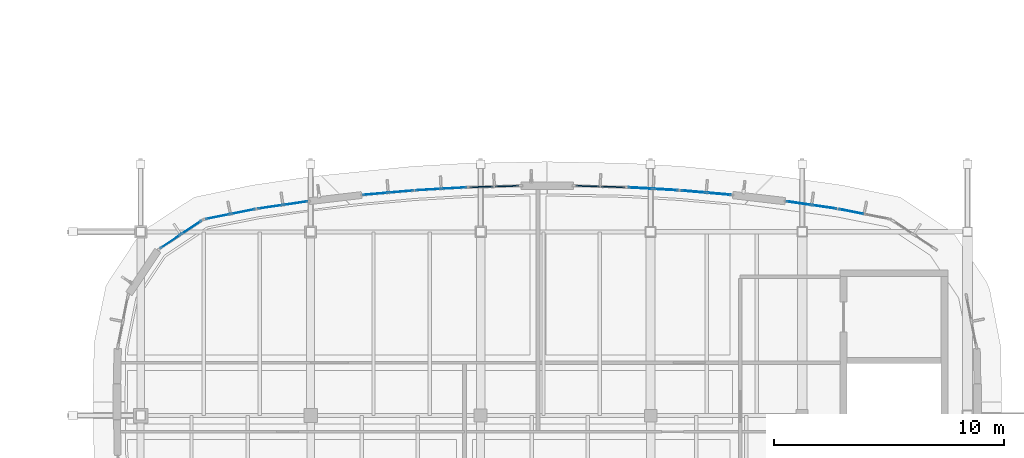
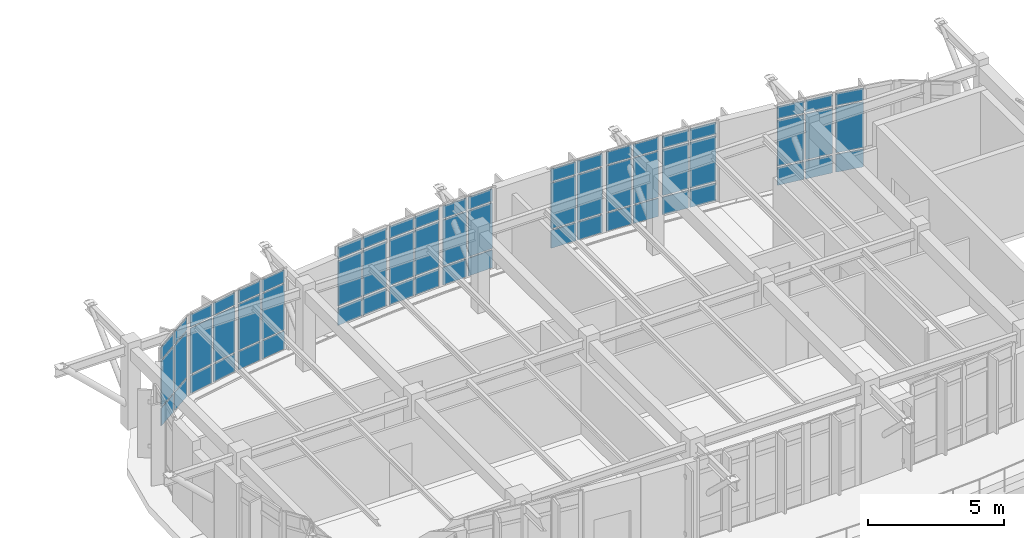
# One storey, part 64 of 105: 63 plates, 11 elements without a shape of their own.
"""IFC4 building model written with IfcOpenShell, lengths in metres."""

import ifcopenshell
import ifcopenshell.guid

model = None  # the IFC model being written
_history = None  # IfcOwnerHistory: only IFC2X3 demands one
_inside = {}  # id of a spatial element -> (the spatial element, [elements in it])
_under = {}  # id of a project, library or spatial element -> (it, [spatial elements below it])
_declared = {}  # id of a project -> (the project, [libraries it declares])
_typed = {}  # id of a type object -> (the type object, [elements of that type])
_made_of = {}  # id of a material, layer set ... -> (it, [elements and type objects made of it])


def new_model(schema):
    """Start an empty IFC model of exactly this schema.

    Asked for "IFC4X3", IfcOpenShell would pick the latest addendum, in which some entities
    have other attributes; the version numbers below select the first issue.
    IFC2X3 requires an IfcOwnerHistory on every rooted entity: one is made here for all.
    """
    global model, _history
    if schema == "IFC4X3":
        model = ifcopenshell.file(schema_version=(4, 3, 0, 0))
    else:
        model = ifcopenshell.file(schema=schema)
    _inside.clear()
    _under.clear()
    _declared.clear()
    _typed.clear()
    _made_of.clear()
    _history = None
    if model.schema == "IFC2X3":
        org = make("IfcOrganization", Name="unknown")
        user = make(
            "IfcPersonAndOrganization",
            ThePerson=make("IfcPerson", FamilyName="unknown"),
            TheOrganization=org,
        )
        app = make(
            "IfcApplication",
            ApplicationDeveloper=org,
            Version="unknown",
            ApplicationFullName="unknown",
            ApplicationIdentifier="unknown",
        )
        _history = make(
            "IfcOwnerHistory",
            OwningUser=user,
            OwningApplication=app,
            ChangeAction="ADDED",
            CreationDate=0,
        )
    return model


def make(cls, **values):
    """One entity of the class cls with the attributes given. An attribute that is None is left unset."""
    return model.create_entity(
        cls, **{name: value for name, value in values.items() if value is not None}
    )


def rooted(cls, **values):
    """An entity with a GlobalId (a new one), such as an element, a storey or a relation."""
    return make(cls, GlobalId=ifcopenshell.guid.new(), OwnerHistory=_history, **values)


def si_unit(unit_type, name, prefix=None):
    """IfcSIUnit, for example si_unit("LENGTHUNIT", "METRE", prefix="MILLI")."""
    return make("IfcSIUnit", UnitType=unit_type, Prefix=prefix, Name=name)


def assignment(units):
    """IfcUnitAssignment: the units of a project."""
    return None if units is None else make("IfcUnitAssignment", Units=units)


def point(xyz):
    """IfcCartesianPoint."""
    return None if xyz is None else make("IfcCartesianPoint", Coordinates=xyz)


def direction(xyz):
    """IfcDirection."""
    return None if xyz is None else make("IfcDirection", DirectionRatios=xyz)


def frame(location, z_axis=None, x_axis=None):
    """IfcAxis2Placement3D, a coordinate frame: its origin and axes. An axis left out is left unset."""
    return make(
        "IfcAxis2Placement3D",
        Location=point(location),
        Axis=direction(z_axis),
        RefDirection=direction(x_axis),
    )


def frame_2d(location, x_axis=None):
    """IfcAxis2Placement2D, a coordinate frame in the plane: its origin and x axis."""
    return make(
        "IfcAxis2Placement2D", Location=point(location), RefDirection=direction(x_axis)
    )


def origin():
    """The frame at (0, 0, 0) with its axes left unset."""
    return frame((0.0, 0.0, 0.0))


def origin_2d():
    """The frame at (0, 0) in the plane with its x axis left unset."""
    return frame_2d((0.0, 0.0))


def place(relative_to, where):
    """IfcLocalPlacement: puts the frame where relative to a parent placement (None: the world)."""
    return make(
        "IfcLocalPlacement", PlacementRelTo=relative_to, RelativePlacement=where
    )


def context(
    kind, dimensions, precision=None, world=None, true_north=None, identifier=None
):
    """IfcGeometricRepresentationContext, for example the 3D "Model" context."""
    return make(
        "IfcGeometricRepresentationContext",
        ContextIdentifier=identifier,
        ContextType=kind,
        CoordinateSpaceDimension=dimensions,
        Precision=precision,
        WorldCoordinateSystem=world,
        TrueNorth=true_north,
    )


def subcontext(parent, identifier, kind, view, scale=None):
    """IfcGeometricRepresentationSubContext, for example "Body" below "Model"."""
    return make(
        "IfcGeometricRepresentationSubContext",
        ContextIdentifier=identifier,
        ContextType=kind,
        ParentContext=parent,
        TargetScale=scale,
        TargetView=view,
    )


def project(units=None, contexts=None):
    """IfcProject with its units and contexts."""
    return rooted(
        "IfcProject",
        Name="project",
        RepresentationContexts=contexts,
        UnitsInContext=assignment(units),
    )


def spatial(cls, under=None, at=None, **own):
    """A site, building, storey or space (cls), placed at a placement, below another one or the project."""
    s = rooted(cls, ObjectPlacement=at, **own)
    if under is not None:
        _under.setdefault(under.id(), (under, []))[1].append(s)
    return s


def profile(cls, at=None, kind="AREA", **sizes):
    """A parametric profile (cls). Its sizes go by their IFC names, for example OverallWidth=200.0."""
    return make(cls, ProfileType=kind, Position=at, **sizes)


def rectangle(**sizes):
    """IfcRectangleProfileDef."""
    return profile("IfcRectangleProfileDef", **sizes)


def extrude(swept, where, along, depth):
    """IfcExtrudedAreaSolid: the profile swept, set in the frame where, extruded along a direction by depth."""
    return make(
        "IfcExtrudedAreaSolid",
        SweptArea=swept,
        Position=where,
        ExtrudedDirection=direction(along),
        Depth=depth,
    )


def shape(context_of_items, identifier, shape_type, items):
    """IfcShapeRepresentation: the items that make up one representation, for example the "Body"."""
    return make(
        "IfcShapeRepresentation",
        ContextOfItems=context_of_items,
        RepresentationIdentifier=identifier,
        RepresentationType=shape_type,
        Items=items,
    )


def material(Name=None, Category=None):
    """IfcMaterial."""
    return make("IfcMaterial", Name=Name, Category=Category)


def layer(
    of_material, thickness, ventilated=None, Name=None, Category=None, Priority=None
):
    """IfcMaterialLayer: one layer of a wall or slab, of a material (None: an air gap)."""
    return make(
        "IfcMaterialLayer",
        Material=of_material,
        LayerThickness=thickness,
        IsVentilated=ventilated,
        Name=Name,
        Category=Category,
        Priority=Priority,
    )


def layer_set(layers, Name=None):
    """IfcMaterialLayerSet."""
    return make("IfcMaterialLayerSet", MaterialLayers=layers, LayerSetName=Name)


def made_of(thing, what):
    """Note that an element or type object is made of a material, layer set ...; save() writes the relation."""
    if what is not None:
        _made_of.setdefault(what.id(), (what, []))[1].append(thing)
    return thing


def type_object(cls, material=None, **own):
    """A type object (cls), such as IfcWallType, which elements share."""
    return made_of(rooted(cls, **own), material)


def element(
    cls,
    number,
    at=None,
    inside=None,
    cuts=None,
    type_object=None,
    material=None,
    context=None,
    identifier="Body",
    shape_type=None,
    held_by="IfcProductDefinitionShape",
    body=None,
    shapes=None,
    **own,
):
    """One element of the class cls, such as IfcWall. Its Tag is "e" and its number.

    at: its placement. inside: the storey or other place that contains it. cuts: it is an
    opening in that element (IfcRelVoidsElement). A single representation is given by context,
    identifier, shape_type and body (its items); several are given by shapes. held_by: the class
    of the entity that holds the representations. save() writes the other relations.
    """
    e = rooted(cls, Tag="e%d" % number, ObjectPlacement=at, **own)
    if body is not None:
        shapes = [shape(context, identifier, shape_type, body)]
    if shapes is not None:
        e.Representation = make(held_by, Representations=shapes)
    if inside is not None:
        _inside.setdefault(inside.id(), (inside, []))[1].append(e)
    if cuts is not None:
        rooted(
            "IfcRelVoidsElement", RelatingBuildingElement=cuts, RelatedOpeningElement=e
        )
    if type_object is not None:
        _typed.setdefault(type_object.id(), (type_object, []))[1].append(e)
    return made_of(e, material)


def aggregate(whole, parts):
    """IfcRelAggregates: a whole, such as a stair, and the parts it consists of."""
    return rooted("IfcRelAggregates", RelatingObject=whole, RelatedObjects=parts)


def save(model, path):
    """Write the relations noted so far, then the file.

    IfcRelAggregates (storeys below a building ...), IfcRelContainedInSpatialStructure (elements
    in a storey), IfcRelDefinesByType, IfcRelAssociatesMaterial and IfcRelDeclares: one each for
    every whole, place, type object, material and project.
    """
    for whole, parts in _under.values():
        aggregate(whole, parts)
    for where, things in _inside.values():
        rooted(
            "IfcRelContainedInSpatialStructure",
            RelatedElements=things,
            RelatingStructure=where,
        )
    for kind, things in _typed.values():
        rooted("IfcRelDefinesByType", RelatedObjects=things, RelatingType=kind)
    for what, things in _made_of.values():
        rooted("IfcRelAssociatesMaterial", RelatedObjects=things, RelatingMaterial=what)
    for by, libraries in _declared.values():
        rooted("IfcRelDeclares", RelatingContext=by, RelatedDefinitions=libraries)
    model.write(path)


model = new_model("IFC4")

# Units and contexts
model_context = context("Model", 3, precision=1e-05, world=origin(), true_north=direction((0.0, 1.0)))
body_context = subcontext(model_context, "Body", "Model", "MODEL_VIEW")
ifc_project = project(units=[si_unit("LENGTHUNIT", "METRE"), si_unit("AREAUNIT", "SQUARE_METRE"), si_unit("VOLUMEUNIT", "CUBIC_METRE"), si_unit("PLANEANGLEUNIT", "RADIAN"), si_unit("MASSUNIT", "GRAM", prefix="KILO")], contexts=[model_context])

# Site, building, storey
site_placement = place(None, origin())
site = spatial("IfcSite", under=ifc_project, at=site_placement, CompositionType="ELEMENT")
building_placement = place(site_placement, origin())
building = spatial("IfcBuilding", under=site, at=building_placement, Name="Corveleigh Park Community Centre", CompositionType="ELEMENT")
storey_placement = place(building_placement, frame((0.0, 0.0, 8.699951171875)))
storey = spatial("IfcBuildingStorey", under=building, at=storey_placement, Name="L02", CompositionType="ELEMENT", Elevation=8.699951171875)

# Curtain wall, plates
ifc_material_1 = material(Name="Anodised aluminium 6063-T6", Category="aluminium")
curtain_wall_type = type_object("IfcCurtainWallType", Name="CW-SYS-V3-UPP", PredefinedType="NOTDEFINED", material=ifc_material_1)
curtain_wall_1_placement = place(storey_placement, origin())
curtain_wall_1 = element("IfcCurtainWall", 1, at=curtain_wall_1_placement, inside=storey, type_object=curtain_wall_type, Name="V3 L02 Curtain Wall 349", PredefinedType="NOTDEFINED")
ifc_material_2 = material(Name="Low-E double glazing", Category="glass")
ifc_layer_1 = layer(ifc_material_2, 0.02392578125, Name="Low-E double glazing", Category="glass")
ifc_layer_set_1 = layer_set([ifc_layer_1], Name="Low-E double glazing")
plate_type_1 = type_object("IfcPlateType", Name="CWP-GLZ-24", PredefinedType="CURTAIN_PANEL", material=ifc_layer_set_1)
plate_1_placement = place(storey_placement, frame((84.52587890625, 28.640869140625, 0.074951171875), z_axis=(0.0, 0.0, 1.0), x_axis=(0.998339941676, 0.057596535089, 0.0)))
plate_1 = element("IfcPlate", 2, at=plate_1_placement, type_object=plate_type_1, Name="CW06 panel 1.1", PredefinedType="CURTAIN_PANEL", context=body_context, shape_type="SweptSolid", body=[
    extrude(rectangle(XDim=1.055908203125, YDim=0.02392578125, at=origin_2d()), origin(), (0.0, 0.0, 1.0), 0.78759765625),
])
plate_2_placement = place(storey_placement, frame((84.52587890625, 28.640869140625, 0.9375), z_axis=(0.0, 0.0, 1.0), x_axis=(0.998339941676, 0.057596535089, 0.0)))
plate_2 = element("IfcPlate", 3, at=plate_2_placement, type_object=plate_type_1, Name="CW06 panel 1.2", PredefinedType="CURTAIN_PANEL", context=body_context, shape_type="SweptSolid", body=[
    extrude(rectangle(XDim=1.055908203125, YDim=0.02392578125, at=origin_2d()), origin(), (0.0, 0.0, 1.0), 2.0390625),
])
plate_3_placement = place(storey_placement, frame((84.52587890625, 28.640869140625, 3.051513671875), z_axis=(0.0, 0.0, 1.0), x_axis=(0.998339941676, 0.057596535089, 0.0)))
plate_3 = element("IfcPlate", 4, at=plate_3_placement, type_object=plate_type_1, Name="CW06 panel 1.3", PredefinedType="CURTAIN_PANEL", context=body_context, shape_type="SweptSolid", body=[
    extrude(rectangle(XDim=1.055908203125, YDim=0.02392578125, at=origin_2d()), origin(), (0.0, 0.0, 1.0), 0.53759765625),
])
plate_4_placement = place(storey_placement, frame((85.64013671875, 28.705078125, 0.074951171875), z_axis=(0.0, 0.0, 1.0), x_axis=(0.998339941676, 0.057596535089, 0.0)))
plate_4 = element("IfcPlate", 5, at=plate_4_placement, type_object=plate_type_1, Name="CW06 panel 2.1", PredefinedType="CURTAIN_PANEL", context=body_context, shape_type="SweptSolid", body=[
    extrude(rectangle(XDim=1.055908203125, YDim=0.02392578125, at=origin_2d()), origin(), (0.0, 0.0, 1.0), 0.78759765625),
])
plate_5_placement = place(storey_placement, frame((85.64013671875, 28.705078125, 0.9375), z_axis=(0.0, 0.0, 1.0), x_axis=(0.998339941676, 0.057596535089, 0.0)))
plate_5 = element("IfcPlate", 6, at=plate_5_placement, type_object=plate_type_1, Name="CW06 panel 2.2", PredefinedType="CURTAIN_PANEL", context=body_context, shape_type="SweptSolid", body=[
    extrude(rectangle(XDim=1.055908203125, YDim=0.02392578125, at=origin_2d()), origin(), (0.0, 0.0, 1.0), 2.0390625),
])
plate_6_placement = place(storey_placement, frame((85.64013671875, 28.705078125, 3.051513671875), z_axis=(0.0, 0.0, 1.0), x_axis=(0.998339941676, 0.057596535089, 0.0)))
plate_6 = element("IfcPlate", 7, at=plate_6_placement, type_object=plate_type_1, Name="CW06 panel 2.3", PredefinedType="CURTAIN_PANEL", context=body_context, shape_type="SweptSolid", body=[
    extrude(rectangle(XDim=1.055908203125, YDim=0.02392578125, at=origin_2d()), origin(), (0.0, 0.0, 1.0), 0.53759765625),
])
aggregate(curtain_wall_1, [plate_1, plate_2, plate_3, plate_4, plate_5, plate_6])

curtain_wall_2_placement = place(storey_placement, origin())
curtain_wall_2 = element("IfcCurtainWall", 8, at=curtain_wall_2_placement, inside=storey, type_object=curtain_wall_type, Name="V3 L02 Curtain Wall 350", PredefinedType="NOTDEFINED")
plate_7_placement = place(storey_placement, frame((82.22412109375, 28.456298828125, 0.080078125), z_axis=(0.0, 0.0, 1.0), x_axis=(0.996188034285, 0.0872318769, 0.0)))
plate_7 = element("IfcPlate", 9, at=plate_7_placement, type_object=plate_type_1, Name="CW06 panel 1.1", PredefinedType="CURTAIN_PANEL", context=body_context, shape_type="SweptSolid", body=[
    extrude(rectangle(XDim=1.048828125, YDim=0.02392578125, at=origin_2d()), origin(), (0.0, 0.0, 1.0), 0.780029296875),
])
plate_8_placement = place(storey_placement, frame((82.22412109375, 28.456298828125, 0.93994140625), z_axis=(0.0, 0.0, 1.0), x_axis=(0.996188034285, 0.0872318769, 0.0)))
plate_8 = element("IfcPlate", 10, at=plate_8_placement, type_object=plate_type_1, Name="CW06 panel 1.2", PredefinedType="CURTAIN_PANEL", context=body_context, shape_type="SweptSolid", body=[
    extrude(rectangle(XDim=1.048828125, YDim=0.02392578125, at=origin_2d()), origin(), (0.0, 0.0, 1.0), 2.033935546875),
])
plate_9_placement = place(storey_placement, frame((82.22412109375, 28.456298828125, 3.05419921875), z_axis=(0.0, 0.0, 1.0), x_axis=(0.996188034285, 0.0872318769, 0.0)))
plate_9 = element("IfcPlate", 11, at=plate_9_placement, type_object=plate_type_1, Name="CW06 panel 1.3", PredefinedType="CURTAIN_PANEL", context=body_context, shape_type="SweptSolid", body=[
    extrude(rectangle(XDim=1.048828125, YDim=0.02392578125, at=origin_2d()), origin(), (0.0, 0.0, 1.0), 0.530029296875),
])
plate_10_placement = place(storey_placement, frame((83.333740234375, 28.553466796875, 0.080078125), z_axis=(0.0, 0.0, 1.0), x_axis=(0.996188034285, 0.0872318769, 0.0)))
plate_10 = element("IfcPlate", 12, at=plate_10_placement, type_object=plate_type_1, Name="CW06 panel 2.1", PredefinedType="CURTAIN_PANEL", context=body_context, shape_type="SweptSolid", body=[
    extrude(rectangle(XDim=1.048828125, YDim=0.02392578125, at=origin_2d()), origin(), (0.0, 0.0, 1.0), 0.780029296875),
])
plate_11_placement = place(storey_placement, frame((83.333740234375, 28.553466796875, 0.93994140625), z_axis=(0.0, 0.0, 1.0), x_axis=(0.996188034285, 0.0872318769, 0.0)))
plate_11 = element("IfcPlate", 13, at=plate_11_placement, type_object=plate_type_1, Name="CW06 panel 2.2", PredefinedType="CURTAIN_PANEL", context=body_context, shape_type="SweptSolid", body=[
    extrude(rectangle(XDim=1.048828125, YDim=0.02392578125, at=origin_2d()), origin(), (0.0, 0.0, 1.0), 2.033935546875),
])
plate_12_placement = place(storey_placement, frame((83.333740234375, 28.553466796875, 3.05419921875), z_axis=(0.0, 0.0, 1.0), x_axis=(0.996188034285, 0.0872318769, 0.0)))
plate_12 = element("IfcPlate", 14, at=plate_12_placement, type_object=plate_type_1, Name="CW06 panel 2.3", PredefinedType="CURTAIN_PANEL", context=body_context, shape_type="SweptSolid", body=[
    extrude(rectangle(XDim=1.048828125, YDim=0.02392578125, at=origin_2d()), origin(), (0.0, 0.0, 1.0), 0.530029296875),
])
aggregate(curtain_wall_2, [plate_7, plate_8, plate_9, plate_10, plate_11, plate_12])

curtain_wall_3_placement = place(storey_placement, origin())
curtain_wall_3 = element("IfcCurtainWall", 15, at=curtain_wall_3_placement, inside=storey, type_object=curtain_wall_type, Name="V3 L02 Curtain Wall 351", PredefinedType="NOTDEFINED")
ifc_layer_2 = layer(ifc_material_2, 0.028076171875, Name="Low-E double glazing", Category="glass")
ifc_layer_set_2 = layer_set([ifc_layer_2], Name="Low-E double glazing")
plate_type_2 = type_object("IfcPlateType", Name="CWP-GLZ-28", PredefinedType="CURTAIN_PANEL", material=ifc_layer_set_2)
plate_13_placement = place(storey_placement, frame((77.642822265625, 27.887451171875, 0.06005859375), z_axis=(0.0, 0.0, 1.0), x_axis=(0.989436636628, 0.144966003251, 0.0)))
plate_13 = element("IfcPlate", 16, at=plate_13_placement, type_object=plate_type_2, Name="CW06 panel 1.1", PredefinedType="CURTAIN_PANEL", context=body_context, shape_type="SweptSolid", body=[
    extrude(rectangle(XDim=1.0400390625, YDim=0.028076171875, at=origin_2d()), origin(), (0.0, 0.0, 1.0), 0.81005859375),
])
plate_14_placement = place(storey_placement, frame((77.642822265625, 27.887451171875, 0.93017578125), z_axis=(0.0, 0.0, 1.0), x_axis=(0.989436636628, 0.144966003251, 0.0)))
plate_14 = element("IfcPlate", 17, at=plate_14_placement, type_object=plate_type_2, Name="CW06 panel 1.2", PredefinedType="CURTAIN_PANEL", context=body_context, shape_type="SweptSolid", body=[
    extrude(rectangle(XDim=1.0400390625, YDim=0.028076171875, at=origin_2d()), origin(), (0.0, 0.0, 1.0), 2.053955078125),
])
plate_15_placement = place(storey_placement, frame((77.642822265625, 27.887451171875, 3.0439453125), z_axis=(0.0, 0.0, 1.0), x_axis=(0.989436636628, 0.144966003251, 0.0)))
plate_15 = element("IfcPlate", 18, at=plate_15_placement, type_object=plate_type_2, Name="CW06 panel 1.3", PredefinedType="CURTAIN_PANEL", context=body_context, shape_type="SweptSolid", body=[
    extrude(rectangle(XDim=1.0400390625, YDim=0.028076171875, at=origin_2d()), origin(), (0.0, 0.0, 1.0), 0.56005859375),
])
plate_16_placement = place(storey_placement, frame((78.7412109375, 28.048583984375, 0.06005859375), z_axis=(0.0, 0.0, 1.0), x_axis=(0.989436636628, 0.144966003251, 0.0)))
plate_16 = element("IfcPlate", 19, at=plate_16_placement, type_object=plate_type_2, Name="CW06 panel 2.1", PredefinedType="CURTAIN_PANEL", context=body_context, shape_type="SweptSolid", body=[
    extrude(rectangle(XDim=1.0400390625, YDim=0.028076171875, at=origin_2d()), origin(), (0.0, 0.0, 1.0), 0.81005859375),
])
plate_17_placement = place(storey_placement, frame((78.7412109375, 28.048583984375, 0.93017578125), z_axis=(0.0, 0.0, 1.0), x_axis=(0.989436636628, 0.144966003251, 0.0)))
plate_17 = element("IfcPlate", 20, at=plate_17_placement, type_object=plate_type_2, Name="CW06 panel 2.2", PredefinedType="CURTAIN_PANEL", context=body_context, shape_type="SweptSolid", body=[
    extrude(rectangle(XDim=1.0400390625, YDim=0.028076171875, at=origin_2d()), origin(), (0.0, 0.0, 1.0), 2.053955078125),
])
plate_18_placement = place(storey_placement, frame((78.7412109375, 28.048583984375, 3.0439453125), z_axis=(0.0, 0.0, 1.0), x_axis=(0.989436636628, 0.144966003251, 0.0)))
plate_18 = element("IfcPlate", 21, at=plate_18_placement, type_object=plate_type_2, Name="CW06 panel 2.3", PredefinedType="CURTAIN_PANEL", context=body_context, shape_type="SweptSolid", body=[
    extrude(rectangle(XDim=1.0400390625, YDim=0.028076171875, at=origin_2d()), origin(), (0.0, 0.0, 1.0), 0.56005859375),
])
aggregate(curtain_wall_3, [plate_13, plate_14, plate_15, plate_16, plate_17, plate_18])

curtain_wall_4_placement = place(storey_placement, origin())
curtain_wall_4 = element("IfcCurtainWall", 22, at=curtain_wall_4_placement, inside=storey, type_object=curtain_wall_type, Name="V3 L02 Curtain Wall 352", PredefinedType="NOTDEFINED")
plate_19_placement = place(storey_placement, frame((75.361083984375, 27.46484375, 0.06494140625), z_axis=(0.0, 0.0, 1.0), x_axis=(0.980813768445, 0.194947048267, 0.0)))
plate_19 = element("IfcPlate", 23, at=plate_19_placement, type_object=plate_type_2, Name="CW06 panel 1.1", PredefinedType="CURTAIN_PANEL", context=body_context, shape_type="SweptSolid", body=[
    extrude(rectangle(XDim=1.0390625, YDim=0.028076171875, at=origin_2d()), origin(), (0.0, 0.0, 1.0), 0.802490234375),
])
plate_20_placement = place(storey_placement, frame((75.361083984375, 27.46484375, 0.9326171875), z_axis=(0.0, 0.0, 1.0), x_axis=(0.980813768445, 0.194947048267, 0.0)))
plate_20 = element("IfcPlate", 24, at=plate_20_placement, type_object=plate_type_2, Name="CW06 panel 1.2", PredefinedType="CURTAIN_PANEL", context=body_context, shape_type="SweptSolid", body=[
    extrude(rectangle(XDim=1.0390625, YDim=0.028076171875, at=origin_2d()), origin(), (0.0, 0.0, 1.0), 2.049072265625),
])
plate_21_placement = place(storey_placement, frame((75.361083984375, 27.46484375, 3.04638671875), z_axis=(0.0, 0.0, 1.0), x_axis=(0.980813768445, 0.194947048267, 0.0)))
plate_21 = element("IfcPlate", 25, at=plate_21_placement, type_object=plate_type_2, Name="CW06 panel 1.3", PredefinedType="CURTAIN_PANEL", context=body_context, shape_type="SweptSolid", body=[
    extrude(rectangle(XDim=1.0390625, YDim=0.028076171875, at=origin_2d()), origin(), (0.0, 0.0, 1.0), 0.552490234375),
])
plate_22_placement = place(storey_placement, frame((76.453857421875, 27.68212890625, 0.06494140625), z_axis=(0.0, 0.0, 1.0), x_axis=(0.980813768445, 0.194947048267, 0.0)))
plate_22 = element("IfcPlate", 26, at=plate_22_placement, type_object=plate_type_2, Name="CW06 panel 2.1", PredefinedType="CURTAIN_PANEL", context=body_context, shape_type="SweptSolid", body=[
    extrude(rectangle(XDim=1.0390625, YDim=0.028076171875, at=origin_2d()), origin(), (0.0, 0.0, 1.0), 0.802490234375),
])
plate_23_placement = place(storey_placement, frame((76.453857421875, 27.68212890625, 0.9326171875), z_axis=(0.0, 0.0, 1.0), x_axis=(0.980813768445, 0.194947048267, 0.0)))
plate_23 = element("IfcPlate", 27, at=plate_23_placement, type_object=plate_type_2, Name="CW06 panel 2.2", PredefinedType="CURTAIN_PANEL", context=body_context, shape_type="SweptSolid", body=[
    extrude(rectangle(XDim=1.0390625, YDim=0.028076171875, at=origin_2d()), origin(), (0.0, 0.0, 1.0), 2.049072265625),
])
plate_24_placement = place(storey_placement, frame((76.453857421875, 27.68212890625, 3.04638671875), z_axis=(0.0, 0.0, 1.0), x_axis=(0.980813768445, 0.194947048267, 0.0)))
plate_24 = element("IfcPlate", 28, at=plate_24_placement, type_object=plate_type_2, Name="CW06 panel 2.3", PredefinedType="CURTAIN_PANEL", context=body_context, shape_type="SweptSolid", body=[
    extrude(rectangle(XDim=1.0390625, YDim=0.028076171875, at=origin_2d()), origin(), (0.0, 0.0, 1.0), 0.552490234375),
])
aggregate(curtain_wall_4, [plate_19, plate_20, plate_21, plate_22, plate_23, plate_24])

curtain_wall_5_placement = place(storey_placement, origin())
curtain_wall_5 = element("IfcCurtainWall", 29, at=curtain_wall_5_placement, inside=storey, type_object=curtain_wall_type, Name="V3 L02 Curtain Wall 353", PredefinedType="NOTDEFINED")
ifc_layer_3 = layer(ifc_material_2, 0.031982421875, Name="Low-E double glazing", Category="glass")
ifc_layer_set_3 = layer_set([ifc_layer_3], Name="Low-E double glazing")
plate_type_3 = type_object("IfcPlateType", Name="CWP-GLZ-32", PredefinedType="CURTAIN_PANEL", material=ifc_layer_set_3)
plate_25_placement = place(storey_placement, frame((73.296875, 26.38037109375, 0.070068359375), z_axis=(0.0, 0.0, 1.0), x_axis=(0.831711453149, 0.55520812197, 0.0)))
plate_25 = element("IfcPlate", 30, at=plate_25_placement, type_object=plate_type_3, Name="CW06 panel 1.1", PredefinedType="CURTAIN_PANEL", context=body_context, shape_type="SweptSolid", body=[
    extrude(rectangle(XDim=1.015625, YDim=0.031982421875, at=origin_2d()), origin(), (0.0, 0.0, 1.0), 0.794921875),
])
plate_26_placement = place(storey_placement, frame((73.296875, 26.38037109375, 0.93505859375), z_axis=(0.0, 0.0, 1.0), x_axis=(0.831711453149, 0.55520812197, 0.0)))
plate_26 = element("IfcPlate", 31, at=plate_26_placement, type_object=plate_type_3, Name="CW06 panel 1.2", PredefinedType="CURTAIN_PANEL", context=body_context, shape_type="SweptSolid", body=[
    extrude(rectangle(XDim=1.015625, YDim=0.031982421875, at=origin_2d()), origin(), (0.0, 0.0, 1.0), 2.0439453125),
])
plate_27_placement = place(storey_placement, frame((73.296875, 26.38037109375, 3.049072265625), z_axis=(0.0, 0.0, 1.0), x_axis=(0.831711453149, 0.55520812197, 0.0)))
plate_27 = element("IfcPlate", 32, at=plate_27_placement, type_object=plate_type_3, Name="CW06 panel 1.3", PredefinedType="CURTAIN_PANEL", context=body_context, shape_type="SweptSolid", body=[
    extrude(rectangle(XDim=1.015625, YDim=0.031982421875, at=origin_2d()), origin(), (0.0, 0.0, 1.0), 0.544921875),
])
plate_28_placement = place(storey_placement, frame((74.2080078125, 26.988525390625, 0.070068359375), z_axis=(0.0, 0.0, 1.0), x_axis=(0.831711453149, 0.55520812197, 0.0)))
plate_28 = element("IfcPlate", 33, at=plate_28_placement, type_object=plate_type_3, Name="CW06 panel 2.1", PredefinedType="CURTAIN_PANEL", context=body_context, shape_type="SweptSolid", body=[
    extrude(rectangle(XDim=1.015625, YDim=0.031982421875, at=origin_2d()), origin(), (0.0, 0.0, 1.0), 0.794921875),
])
plate_29_placement = place(storey_placement, frame((74.2080078125, 26.988525390625, 0.93505859375), z_axis=(0.0, 0.0, 1.0), x_axis=(0.831711453149, 0.55520812197, 0.0)))
plate_29 = element("IfcPlate", 34, at=plate_29_placement, type_object=plate_type_3, Name="CW06 panel 2.2", PredefinedType="CURTAIN_PANEL", context=body_context, shape_type="SweptSolid", body=[
    extrude(rectangle(XDim=1.015625, YDim=0.031982421875, at=origin_2d()), origin(), (0.0, 0.0, 1.0), 2.0439453125),
])
plate_30_placement = place(storey_placement, frame((74.2080078125, 26.988525390625, 3.049072265625), z_axis=(0.0, 0.0, 1.0), x_axis=(0.831711453149, 0.55520812197, 0.0)))
plate_30 = element("IfcPlate", 35, at=plate_30_placement, type_object=plate_type_3, Name="CW06 panel 2.3", PredefinedType="CURTAIN_PANEL", context=body_context, shape_type="SweptSolid", body=[
    extrude(rectangle(XDim=1.015625, YDim=0.031982421875, at=origin_2d()), origin(), (0.0, 0.0, 1.0), 0.544921875),
])
aggregate(curtain_wall_5, [plate_25, plate_26, plate_27, plate_28, plate_29, plate_30])

curtain_wall_6_placement = place(storey_placement, origin())
curtain_wall_6 = element("IfcCurtainWall", 36, at=curtain_wall_6_placement, inside=storey, type_object=curtain_wall_type, Name="V3 L02 Curtain Wall 343", PredefinedType="NOTDEFINED")
ifc_layer_4 = layer(ifc_material_2, 0.035888671875, Name="Low-E double glazing", Category="glass")
ifc_layer_set_4 = layer_set([ifc_layer_4], Name="Low-E double glazing")
plate_type_4 = type_object("IfcPlateType", Name="CWP-GLZ-36", PredefinedType="CURTAIN_PANEL", material=ifc_layer_set_4)
plate_31_placement = place(storey_placement, frame((102.9423828125, 27.682861328125, 0.070068359375), z_axis=(0.0, 0.0, 1.0), x_axis=(0.980813768445, -0.194947048267, 0.0)))
plate_31 = element("IfcPlate", 37, at=plate_31_placement, type_object=plate_type_4, Name="CW06 panel 1.1", PredefinedType="CURTAIN_PANEL", context=body_context, shape_type="SweptSolid", body=[
    extrude(rectangle(XDim=1.0615234375, YDim=0.035888671875, at=origin_2d()), origin(), (0.0, 0.0, 1.0), 0.794921875),
])
plate_32_placement = place(storey_placement, frame((102.9423828125, 27.682861328125, 0.93505859375), z_axis=(0.0, 0.0, 1.0), x_axis=(0.980813768445, -0.194947048267, 0.0)))
plate_32 = element("IfcPlate", 38, at=plate_32_placement, type_object=plate_type_4, Name="CW06 panel 1.2", PredefinedType="CURTAIN_PANEL", context=body_context, shape_type="SweptSolid", body=[
    extrude(rectangle(XDim=1.0615234375, YDim=0.035888671875, at=origin_2d()), origin(), (0.0, 0.0, 1.0), 2.0439453125),
])
plate_33_placement = place(storey_placement, frame((102.9423828125, 27.682861328125, 3.049072265625), z_axis=(0.0, 0.0, 1.0), x_axis=(0.980813768445, -0.194947048267, 0.0)))
plate_33 = element("IfcPlate", 39, at=plate_33_placement, type_object=plate_type_4, Name="CW06 panel 1.3", PredefinedType="CURTAIN_PANEL", context=body_context, shape_type="SweptSolid", body=[
    extrude(rectangle(XDim=1.0615234375, YDim=0.035888671875, at=origin_2d()), origin(), (0.0, 0.0, 1.0), 0.544921875),
])
aggregate(curtain_wall_6, [plate_31, plate_32, plate_33])

curtain_wall_7_placement = place(storey_placement, origin())
curtain_wall_7 = element("IfcCurtainWall", 40, at=curtain_wall_7_placement, inside=storey, type_object=curtain_wall_type, Name="V3 L02 Curtain Wall 344", PredefinedType="NOTDEFINED")
plate_34_placement = place(storey_placement, frame((100.657470703125, 28.048583984375, 0.074951171875), z_axis=(0.0, 0.0, 1.0), x_axis=(0.989436636628, -0.144966003251, 0.0)))
plate_34 = element("IfcPlate", 41, at=plate_34_placement, type_object=plate_type_4, Name="CW06 panel 1.1", PredefinedType="CURTAIN_PANEL", context=body_context, shape_type="SweptSolid", body=[
    extrude(rectangle(XDim=1.047607421875, YDim=0.035888671875, at=origin_2d()), origin(), (0.0, 0.0, 1.0), 0.78759765625),
])
plate_35_placement = place(storey_placement, frame((100.657470703125, 28.048583984375, 0.9375), z_axis=(0.0, 0.0, 1.0), x_axis=(0.989436636628, -0.144966003251, 0.0)))
plate_35 = element("IfcPlate", 42, at=plate_35_placement, type_object=plate_type_4, Name="CW06 panel 1.2", PredefinedType="CURTAIN_PANEL", context=body_context, shape_type="SweptSolid", body=[
    extrude(rectangle(XDim=1.047607421875, YDim=0.035888671875, at=origin_2d()), origin(), (0.0, 0.0, 1.0), 2.0390625),
])
plate_36_placement = place(storey_placement, frame((100.657470703125, 28.048583984375, 3.051513671875), z_axis=(0.0, 0.0, 1.0), x_axis=(0.989436636628, -0.144966003251, 0.0)))
plate_36 = element("IfcPlate", 43, at=plate_36_placement, type_object=plate_type_4, Name="CW06 panel 1.3", PredefinedType="CURTAIN_PANEL", context=body_context, shape_type="SweptSolid", body=[
    extrude(rectangle(XDim=1.047607421875, YDim=0.035888671875, at=origin_2d()), origin(), (0.0, 0.0, 1.0), 0.53759765625),
])
plate_37_placement = place(storey_placement, frame((101.75830078125, 27.887451171875, 0.074951171875), z_axis=(0.0, 0.0, 1.0), x_axis=(0.989436636628, -0.144966003251, 0.0)))
plate_37 = element("IfcPlate", 44, at=plate_37_placement, type_object=plate_type_4, Name="CW06 panel 2.1", PredefinedType="CURTAIN_PANEL", context=body_context, shape_type="SweptSolid", body=[
    extrude(rectangle(XDim=1.047607421875, YDim=0.035888671875, at=origin_2d()), origin(), (0.0, 0.0, 1.0), 0.78759765625),
])
plate_38_placement = place(storey_placement, frame((101.75830078125, 27.887451171875, 0.9375), z_axis=(0.0, 0.0, 1.0), x_axis=(0.989436636628, -0.144966003251, 0.0)))
plate_38 = element("IfcPlate", 45, at=plate_38_placement, type_object=plate_type_4, Name="CW06 panel 2.2", PredefinedType="CURTAIN_PANEL", context=body_context, shape_type="SweptSolid", body=[
    extrude(rectangle(XDim=1.047607421875, YDim=0.035888671875, at=origin_2d()), origin(), (0.0, 0.0, 1.0), 2.0390625),
])
plate_39_placement = place(storey_placement, frame((101.75830078125, 27.887451171875, 3.051513671875), z_axis=(0.0, 0.0, 1.0), x_axis=(0.989436636628, -0.144966003251, 0.0)))
plate_39 = element("IfcPlate", 46, at=plate_39_placement, type_object=plate_type_4, Name="CW06 panel 2.3", PredefinedType="CURTAIN_PANEL", context=body_context, shape_type="SweptSolid", body=[
    extrude(rectangle(XDim=1.047607421875, YDim=0.035888671875, at=origin_2d()), origin(), (0.0, 0.0, 1.0), 0.53759765625),
])
aggregate(curtain_wall_7, [plate_34, plate_35, plate_36, plate_37, plate_38, plate_39])

curtain_wall_8_placement = place(storey_placement, origin())
curtain_wall_8 = element("IfcCurtainWall", 47, at=curtain_wall_8_placement, inside=storey, type_object=curtain_wall_type, Name="V3 L02 Curtain Wall 345", PredefinedType="NOTDEFINED")
ifc_layer_5 = layer(ifc_material_2, 0.0400390625, Name="Low-E double glazing", Category="glass")
ifc_layer_set_5 = layer_set([ifc_layer_5], Name="Low-E double glazing")
plate_type_5 = type_object("IfcPlateType", Name="CWP-GLZ-40", PredefinedType="CURTAIN_PANEL", material=ifc_layer_set_5)
plate_40_placement = place(storey_placement, frame((96.0673828125, 28.553466796875, 0.080078125), z_axis=(0.0, 0.0, 1.0), x_axis=(0.996188034285, -0.0872318769, 0.0)))
plate_40 = element("IfcPlate", 48, at=plate_40_placement, type_object=plate_type_5, Name="CW06 panel 1.1", PredefinedType="CURTAIN_PANEL", context=body_context, shape_type="SweptSolid", body=[
    extrude(rectangle(XDim=1.041259765625, YDim=0.0400390625, at=origin_2d()), origin(), (0.0, 0.0, 1.0), 0.780029296875),
])
plate_41_placement = place(storey_placement, frame((96.0673828125, 28.553466796875, 0.93994140625), z_axis=(0.0, 0.0, 1.0), x_axis=(0.996188034285, -0.0872318769, 0.0)))
plate_41 = element("IfcPlate", 49, at=plate_41_placement, type_object=plate_type_5, Name="CW06 panel 1.2", PredefinedType="CURTAIN_PANEL", context=body_context, shape_type="SweptSolid", body=[
    extrude(rectangle(XDim=1.041259765625, YDim=0.0400390625, at=origin_2d()), origin(), (0.0, 0.0, 1.0), 2.033935546875),
])
plate_42_placement = place(storey_placement, frame((96.0673828125, 28.553466796875, 3.05419921875), z_axis=(0.0, 0.0, 1.0), x_axis=(0.996188034285, -0.0872318769, 0.0)))
plate_42 = element("IfcPlate", 50, at=plate_42_placement, type_object=plate_type_5, Name="CW06 panel 1.3", PredefinedType="CURTAIN_PANEL", context=body_context, shape_type="SweptSolid", body=[
    extrude(rectangle(XDim=1.041259765625, YDim=0.0400390625, at=origin_2d()), origin(), (0.0, 0.0, 1.0), 0.530029296875),
])
plate_43_placement = place(storey_placement, frame((97.174560546875, 28.45654296875, 0.080078125), z_axis=(0.0, 0.0, 1.0), x_axis=(0.996188034285, -0.0872318769, 0.0)))
plate_43 = element("IfcPlate", 51, at=plate_43_placement, type_object=plate_type_5, Name="CW06 panel 2.1", PredefinedType="CURTAIN_PANEL", context=body_context, shape_type="SweptSolid", body=[
    extrude(rectangle(XDim=1.041259765625, YDim=0.0400390625, at=origin_2d()), origin(), (0.0, 0.0, 1.0), 0.780029296875),
])
plate_44_placement = place(storey_placement, frame((97.174560546875, 28.45654296875, 0.93994140625), z_axis=(0.0, 0.0, 1.0), x_axis=(0.996188034285, -0.0872318769, 0.0)))
plate_44 = element("IfcPlate", 52, at=plate_44_placement, type_object=plate_type_5, Name="CW06 panel 2.2", PredefinedType="CURTAIN_PANEL", context=body_context, shape_type="SweptSolid", body=[
    extrude(rectangle(XDim=1.041259765625, YDim=0.0400390625, at=origin_2d()), origin(), (0.0, 0.0, 1.0), 2.033935546875),
])
plate_45_placement = place(storey_placement, frame((97.174560546875, 28.45654296875, 3.05419921875), z_axis=(0.0, 0.0, 1.0), x_axis=(0.996188034285, -0.0872318769, 0.0)))
plate_45 = element("IfcPlate", 53, at=plate_45_placement, type_object=plate_type_5, Name="CW06 panel 2.3", PredefinedType="CURTAIN_PANEL", context=body_context, shape_type="SweptSolid", body=[
    extrude(rectangle(XDim=1.041259765625, YDim=0.0400390625, at=origin_2d()), origin(), (0.0, 0.0, 1.0), 0.530029296875),
])
aggregate(curtain_wall_8, [plate_40, plate_41, plate_42, plate_43, plate_44, plate_45])

curtain_wall_9_placement = place(storey_placement, origin())
curtain_wall_9 = element("IfcCurtainWall", 54, at=curtain_wall_9_placement, inside=storey, type_object=curtain_wall_type, Name="V3 L02 Curtain Wall 346", PredefinedType="NOTDEFINED")
plate_46_placement = place(storey_placement, frame((93.763671875, 28.704833984375, 0.06005859375), z_axis=(0.0, 0.0, 1.0), x_axis=(0.998339941676, -0.057596535089, 0.0)))
plate_46 = element("IfcPlate", 55, at=plate_46_placement, type_object=plate_type_5, Name="CW06 panel 1.1", PredefinedType="CURTAIN_PANEL", context=body_context, shape_type="SweptSolid", body=[
    extrude(rectangle(XDim=1.033447265625, YDim=0.0400390625, at=origin_2d()), origin(), (0.0, 0.0, 1.0), 0.81005859375),
])
plate_47_placement = place(storey_placement, frame((93.763671875, 28.704833984375, 0.93017578125), z_axis=(0.0, 0.0, 1.0), x_axis=(0.998339941676, -0.057596535089, 0.0)))
plate_47 = element("IfcPlate", 56, at=plate_47_placement, type_object=plate_type_5, Name="CW06 panel 1.2", PredefinedType="CURTAIN_PANEL", context=body_context, shape_type="SweptSolid", body=[
    extrude(rectangle(XDim=1.033447265625, YDim=0.0400390625, at=origin_2d()), origin(), (0.0, 0.0, 1.0), 2.053955078125),
])
plate_48_placement = place(storey_placement, frame((93.763671875, 28.704833984375, 3.0439453125), z_axis=(0.0, 0.0, 1.0), x_axis=(0.998339941676, -0.057596535089, 0.0)))
plate_48 = element("IfcPlate", 57, at=plate_48_placement, type_object=plate_type_5, Name="CW06 panel 1.3", PredefinedType="CURTAIN_PANEL", context=body_context, shape_type="SweptSolid", body=[
    extrude(rectangle(XDim=1.033447265625, YDim=0.0400390625, at=origin_2d()), origin(), (0.0, 0.0, 1.0), 0.56005859375),
])
plate_49_placement = place(storey_placement, frame((94.870361328125, 28.64111328125, 0.06005859375), z_axis=(0.0, 0.0, 1.0), x_axis=(0.998339941676, -0.057596535089, 0.0)))
plate_49 = element("IfcPlate", 58, at=plate_49_placement, type_object=plate_type_5, Name="CW06 panel 2.1", PredefinedType="CURTAIN_PANEL", context=body_context, shape_type="SweptSolid", body=[
    extrude(rectangle(XDim=1.033447265625, YDim=0.0400390625, at=origin_2d()), origin(), (0.0, 0.0, 1.0), 0.81005859375),
])
plate_50_placement = place(storey_placement, frame((94.870361328125, 28.64111328125, 0.93017578125), z_axis=(0.0, 0.0, 1.0), x_axis=(0.998339941676, -0.057596535089, 0.0)))
plate_50 = element("IfcPlate", 59, at=plate_50_placement, type_object=plate_type_5, Name="CW06 panel 2.2", PredefinedType="CURTAIN_PANEL", context=body_context, shape_type="SweptSolid", body=[
    extrude(rectangle(XDim=1.033447265625, YDim=0.0400390625, at=origin_2d()), origin(), (0.0, 0.0, 1.0), 2.053955078125),
])
plate_51_placement = place(storey_placement, frame((94.870361328125, 28.64111328125, 3.0439453125), z_axis=(0.0, 0.0, 1.0), x_axis=(0.998339941676, -0.057596535089, 0.0)))
plate_51 = element("IfcPlate", 60, at=plate_51_placement, type_object=plate_type_5, Name="CW06 panel 2.3", PredefinedType="CURTAIN_PANEL", context=body_context, shape_type="SweptSolid", body=[
    extrude(rectangle(XDim=1.033447265625, YDim=0.0400390625, at=origin_2d()), origin(), (0.0, 0.0, 1.0), 0.56005859375),
])
aggregate(curtain_wall_9, [plate_46, plate_47, plate_48, plate_49, plate_50, plate_51])

curtain_wall_10_placement = place(storey_placement, origin())
curtain_wall_10 = element("IfcCurtainWall", 61, at=curtain_wall_10_placement, inside=storey, type_object=curtain_wall_type, Name="V3 L02 Curtain Wall 347", PredefinedType="NOTDEFINED")
ifc_layer_6 = layer(ifc_material_2, 0.0439453125, Name="Low-E double glazing", Category="glass")
ifc_layer_set_6 = layer_set([ifc_layer_6], Name="Low-E double glazing")
plate_type_6 = type_object("IfcPlateType", Name="CWP-GLZ-44", PredefinedType="CURTAIN_PANEL", material=ifc_layer_set_6)
plate_52_placement = place(storey_placement, frame((91.456787109375, 28.78955078125, 0.06494140625), z_axis=(0.0, 0.0, 1.0), x_axis=(0.999572642861, -0.029232373224, 0.0)))
plate_52 = element("IfcPlate", 62, at=plate_52_placement, type_object=plate_type_6, Name="CW06 panel 1.1", PredefinedType="CURTAIN_PANEL", context=body_context, shape_type="SweptSolid", body=[
    extrude(rectangle(XDim=1.02587890625, YDim=0.0439453125, at=origin_2d()), origin(), (0.0, 0.0, 1.0), 0.802490234375),
])
plate_53_placement = place(storey_placement, frame((91.456787109375, 28.78955078125, 0.9326171875), z_axis=(0.0, 0.0, 1.0), x_axis=(0.999572642861, -0.029232373224, 0.0)))
plate_53 = element("IfcPlate", 63, at=plate_53_placement, type_object=plate_type_6, Name="CW06 panel 1.2", PredefinedType="CURTAIN_PANEL", context=body_context, shape_type="SweptSolid", body=[
    extrude(rectangle(XDim=1.02587890625, YDim=0.0439453125, at=origin_2d()), origin(), (0.0, 0.0, 1.0), 2.049072265625),
])
plate_54_placement = place(storey_placement, frame((91.456787109375, 28.78955078125, 3.04638671875), z_axis=(0.0, 0.0, 1.0), x_axis=(0.999572642861, -0.029232373224, 0.0)))
plate_54 = element("IfcPlate", 64, at=plate_54_placement, type_object=plate_type_6, Name="CW06 panel 1.3", PredefinedType="CURTAIN_PANEL", context=body_context, shape_type="SweptSolid", body=[
    extrude(rectangle(XDim=1.02587890625, YDim=0.0439453125, at=origin_2d()), origin(), (0.0, 0.0, 1.0), 0.552490234375),
])
plate_55_placement = place(storey_placement, frame((92.562255859375, 28.75732421875, 0.06494140625), z_axis=(0.0, 0.0, 1.0), x_axis=(0.999572642861, -0.029232373224, 0.0)))
plate_55 = element("IfcPlate", 65, at=plate_55_placement, type_object=plate_type_6, Name="CW06 panel 2.1", PredefinedType="CURTAIN_PANEL", context=body_context, shape_type="SweptSolid", body=[
    extrude(rectangle(XDim=1.02587890625, YDim=0.0439453125, at=origin_2d()), origin(), (0.0, 0.0, 1.0), 0.802490234375),
])
plate_56_placement = place(storey_placement, frame((92.562255859375, 28.75732421875, 0.9326171875), z_axis=(0.0, 0.0, 1.0), x_axis=(0.999572642861, -0.029232373224, 0.0)))
plate_56 = element("IfcPlate", 66, at=plate_56_placement, type_object=plate_type_6, Name="CW06 panel 2.2", PredefinedType="CURTAIN_PANEL", context=body_context, shape_type="SweptSolid", body=[
    extrude(rectangle(XDim=1.02587890625, YDim=0.0439453125, at=origin_2d()), origin(), (0.0, 0.0, 1.0), 2.049072265625),
])
plate_57_placement = place(storey_placement, frame((92.562255859375, 28.75732421875, 3.04638671875), z_axis=(0.0, 0.0, 1.0), x_axis=(0.999572642861, -0.029232373224, 0.0)))
plate_57 = element("IfcPlate", 67, at=plate_57_placement, type_object=plate_type_6, Name="CW06 panel 2.3", PredefinedType="CURTAIN_PANEL", context=body_context, shape_type="SweptSolid", body=[
    extrude(rectangle(XDim=1.02587890625, YDim=0.0439453125, at=origin_2d()), origin(), (0.0, 0.0, 1.0), 0.552490234375),
])
aggregate(curtain_wall_10, [plate_52, plate_53, plate_54, plate_55, plate_56, plate_57])

curtain_wall_11_placement = place(storey_placement, origin())
curtain_wall_11 = element("IfcCurtainWall", 68, at=curtain_wall_11_placement, inside=storey, type_object=curtain_wall_type, Name="V3 L02 Curtain Wall 348", PredefinedType="NOTDEFINED")
plate_58_placement = place(storey_placement, frame((86.839111328125, 28.75732421875, 0.070068359375), z_axis=(0.0, 0.0, 1.0), x_axis=(0.999572642861, 0.029232373224, 0.0)))
plate_58 = element("IfcPlate", 69, at=plate_58_placement, type_object=plate_type_6, Name="CW06 panel 1.1", PredefinedType="CURTAIN_PANEL", context=body_context, shape_type="SweptSolid", body=[
    extrude(rectangle(XDim=1.0185546875, YDim=0.0439453125, at=origin_2d()), origin(), (0.0, 0.0, 1.0), 0.794921875),
])
plate_59_placement = place(storey_placement, frame((86.839111328125, 28.75732421875, 0.93505859375), z_axis=(0.0, 0.0, 1.0), x_axis=(0.999572642861, 0.029232373224, 0.0)))
plate_59 = element("IfcPlate", 70, at=plate_59_placement, type_object=plate_type_6, Name="CW06 panel 1.2", PredefinedType="CURTAIN_PANEL", context=body_context, shape_type="SweptSolid", body=[
    extrude(rectangle(XDim=1.0185546875, YDim=0.0439453125, at=origin_2d()), origin(), (0.0, 0.0, 1.0), 2.0439453125),
])
plate_60_placement = place(storey_placement, frame((86.839111328125, 28.75732421875, 3.049072265625), z_axis=(0.0, 0.0, 1.0), x_axis=(0.999572642861, 0.029232373224, 0.0)))
plate_60 = element("IfcPlate", 71, at=plate_60_placement, type_object=plate_type_6, Name="CW06 panel 1.3", PredefinedType="CURTAIN_PANEL", context=body_context, shape_type="SweptSolid", body=[
    extrude(rectangle(XDim=1.0185546875, YDim=0.0439453125, at=origin_2d()), origin(), (0.0, 0.0, 1.0), 0.544921875),
])
plate_61_placement = place(storey_placement, frame((87.94189453125, 28.78955078125, 0.070068359375), z_axis=(0.0, 0.0, 1.0), x_axis=(0.999572642861, 0.029232373224, 0.0)))
plate_61 = element("IfcPlate", 72, at=plate_61_placement, type_object=plate_type_6, Name="CW06 panel 2.1", PredefinedType="CURTAIN_PANEL", context=body_context, shape_type="SweptSolid", body=[
    extrude(rectangle(XDim=1.0185546875, YDim=0.0439453125, at=origin_2d()), origin(), (0.0, 0.0, 1.0), 0.794921875),
])
plate_62_placement = place(storey_placement, frame((87.94189453125, 28.78955078125, 0.93505859375), z_axis=(0.0, 0.0, 1.0), x_axis=(0.999572642861, 0.029232373224, 0.0)))
plate_62 = element("IfcPlate", 73, at=plate_62_placement, type_object=plate_type_6, Name="CW06 panel 2.2", PredefinedType="CURTAIN_PANEL", context=body_context, shape_type="SweptSolid", body=[
    extrude(rectangle(XDim=1.0185546875, YDim=0.0439453125, at=origin_2d()), origin(), (0.0, 0.0, 1.0), 2.0439453125),
])
plate_63_placement = place(storey_placement, frame((87.94189453125, 28.78955078125, 3.049072265625), z_axis=(0.0, 0.0, 1.0), x_axis=(0.999572642861, 0.029232373224, 0.0)))
plate_63 = element("IfcPlate", 74, at=plate_63_placement, type_object=plate_type_6, Name="CW06 panel 2.3", PredefinedType="CURTAIN_PANEL", context=body_context, shape_type="SweptSolid", body=[
    extrude(rectangle(XDim=1.0185546875, YDim=0.0439453125, at=origin_2d()), origin(), (0.0, 0.0, 1.0), 0.544921875),
])
aggregate(curtain_wall_11, [plate_58, plate_59, plate_60, plate_61, plate_62, plate_63])

save(model, "model.ifc")
